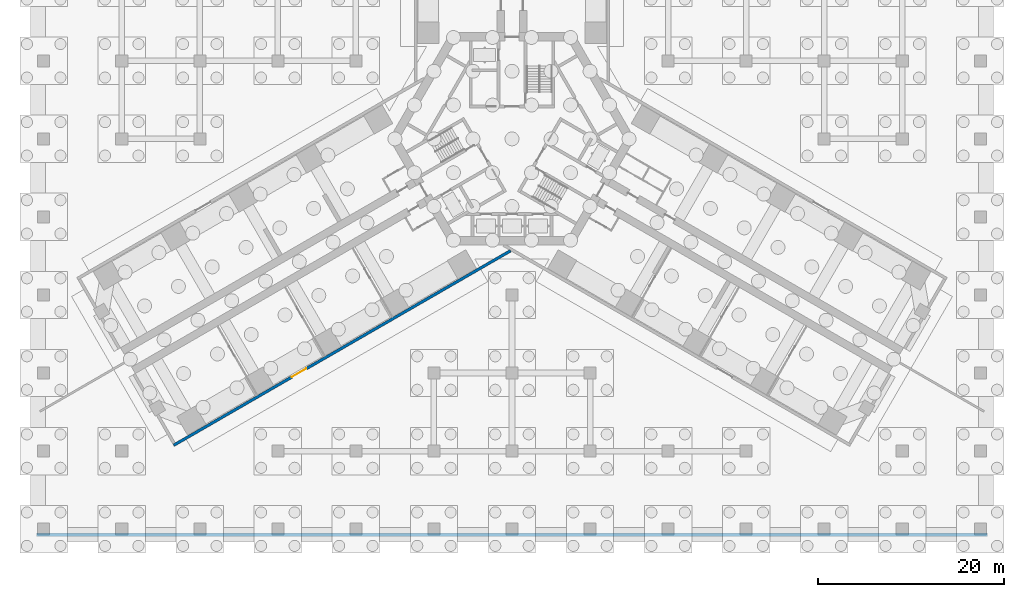
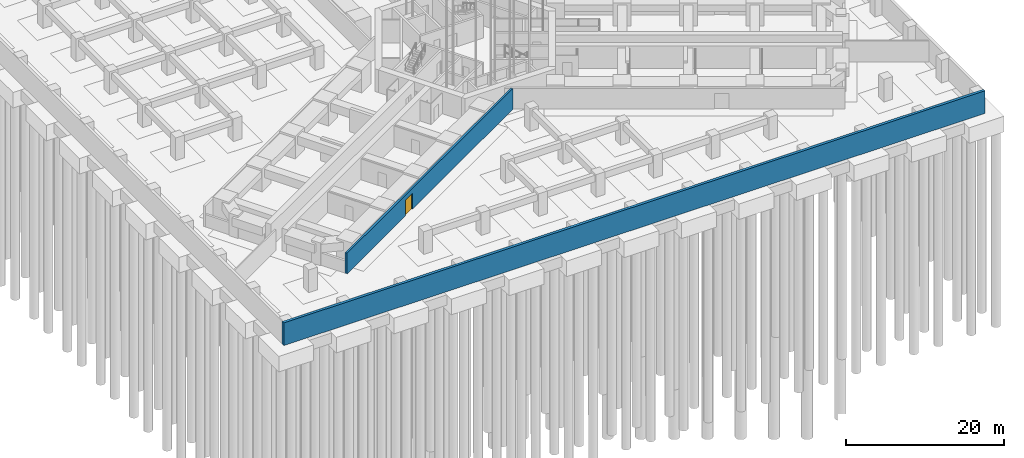
# One storey, part 52 of 73: 2 walls, 1 door, 1 opening.
"""IFC4 building model written with IfcOpenShell, lengths in metres."""

from ifc_helpers import new_model, si_unit, direction, frame, frame_2d, origin, place, context, subcontext, project, spatial, rectangle, extrude, material, layer, layer_set, type_object, element, fill, save


model = new_model("IFC4")

# Units and contexts
model_context = context("Model", 3, precision=1e-05, world=origin(), true_north=direction((0.0, 1.0)))
body_context = subcontext(model_context, "Body", "Model", "MODEL_VIEW")
ifc_project = project(units=[si_unit("LENGTHUNIT", "METRE"), si_unit("AREAUNIT", "SQUARE_METRE"), si_unit("VOLUMEUNIT", "CUBIC_METRE"), si_unit("PLANEANGLEUNIT", "RADIAN"), si_unit("MASSUNIT", "GRAM", prefix="KILO")], contexts=[model_context])

# Site, building, storey
site_placement = place(None, origin())
site = spatial("IfcSite", under=ifc_project, at=site_placement, CompositionType="ELEMENT")
building_placement = place(site_placement, origin())
building = spatial("IfcBuilding", under=site, at=building_placement, Name="Impinga Residences", CompositionType="ELEMENT")
storey_placement = place(building_placement, frame((0.0, 0.0, -10.5)))
storey = spatial("IfcBuildingStorey", under=building, at=storey_placement, Name="B3", CompositionType="ELEMENT", Elevation=-10.5)

# Wall, opening, door
ifc_material_1 = material(Name="Concrete blockwork", Category="masonry")
ifc_layer_1 = layer(ifc_material_1, 0.300048828125)
ifc_layer_set_1 = layer_set([ifc_layer_1], Name="PW3 podium wall on the wing face 300")
wall_type_1 = type_object("IfcWallType", Name="PW3 podium wall on the wing face 300", PredefinedType="SOLIDWALL", material=ifc_layer_set_1)
wall_1_placement = place(storey_placement, frame((-0.14990234375, -12.037841796875, 0.0), z_axis=(0.0, 0.0, 1.0), x_axis=(-0.866026292622, -0.499998460486, 0.0)))
wall_1 = element("IfcWall", 1, at=wall_1_placement, inside=storey, type_object=wall_type_1, Name="Podium wall on the wing face B3:SIDE:WA0", PredefinedType="SOLIDWALL", context=body_context, shape_type="SweptSolid", body=[
    extrude(rectangle(XDim=41.883056640625, YDim=0.300048828125, at=frame_2d((20.94140625, 0.0))), origin(), (0.0, 0.0, 1.0), 3.199951171875),
])
opening_placement = place(wall_1_placement, frame((25.3828125, 0.0, 0.0)))
opening = element("IfcOpeningElement", 2, at=opening_placement, cuts=wall_1, Name="Opening D7", PredefinedType="OPENING", context=body_context, shape_type="SweptSolid", body=[
    extrude(rectangle(XDim=1.800048828125, YDim=2.39990234375, at=frame_2d((0.89990234375, 1.199951171875))), frame((0.0, 0.159912109375, 0.0), z_axis=(0.0, -1.0, 0.0), x_axis=(1.0, 0.0, 0.0)), (0.0, 0.0, 1.0), 0.320068359375),
])
ifc_material_2 = material(Name="Timber door set", Category="wood")
door_type = type_object("IfcDoorType", Name="D7 podium door pair 1800x2400", OperationType="DOUBLE_DOOR_DOUBLE_SWING", PredefinedType="DOOR", material=ifc_material_2)
door_placement = place(opening_placement, origin())
door = element("IfcDoor", 3, at=door_placement, inside=storey, type_object=door_type, Name="Double door WA", OperationType="DOUBLE_DOOR_DOUBLE_SWING", OverallHeight=2.39990234375, OverallWidth=1.800048828125, PredefinedType="DOOR", context=body_context, shape_type="SweptSolid", body=[
    extrude(rectangle(XDim=1.800048828125, YDim=2.39990234375, at=frame_2d((0.89990234375, 1.199951171875))), frame((0.0, 0.02490234375, 0.0), z_axis=(0.0, -1.0, 0.0), x_axis=(1.0, 0.0, 0.0)), (0.0, 0.0, 1.0), 0.050048828125),
])
fill(opening, door)

# Wall
ifc_material_3 = material(Name="Concrete C60/75", Category="concrete")
ifc_layer_2 = layer(ifc_material_3, 0.39990234375)
ifc_layer_set_2 = layer_set([ifc_layer_2], Name="Concrete C60/75")
wall_type_2 = type_object("IfcWallType", Name="RW1 basement retaining wall 400", PredefinedType="USERDEFINED", material=ifc_layer_set_2)
wall_2_placement = place(storey_placement, frame((-51.199951171875, -42.60009765625, 0.0), z_axis=(0.0, 0.0, 1.0), x_axis=(1.0, 0.0, 0.0)))
element("IfcWall", 4, at=wall_2_placement, inside=storey, type_object=wall_type_2, Name="Retaining wall RW1 S B3", ObjectType="RETAINING WALL", PredefinedType="USERDEFINED", context=body_context, shape_type="SweptSolid", body=[
    extrude(rectangle(XDim=102.39990234375, YDim=0.39990234375, at=frame_2d((51.199951171875, 0.0))), origin(), (0.0, 0.0, 1.0), 3.5),
])

save(model, "model.ifc")
